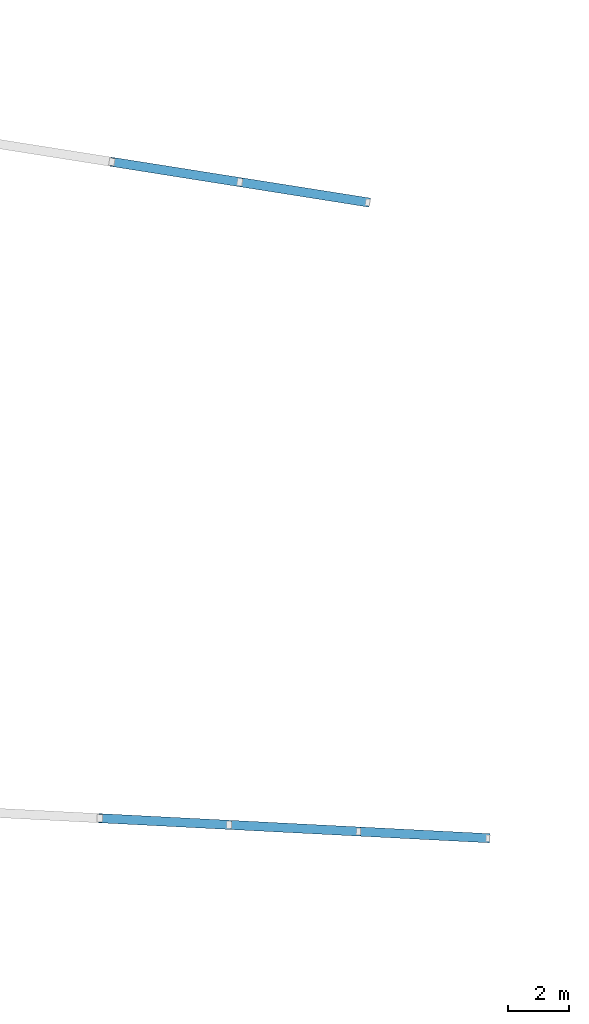
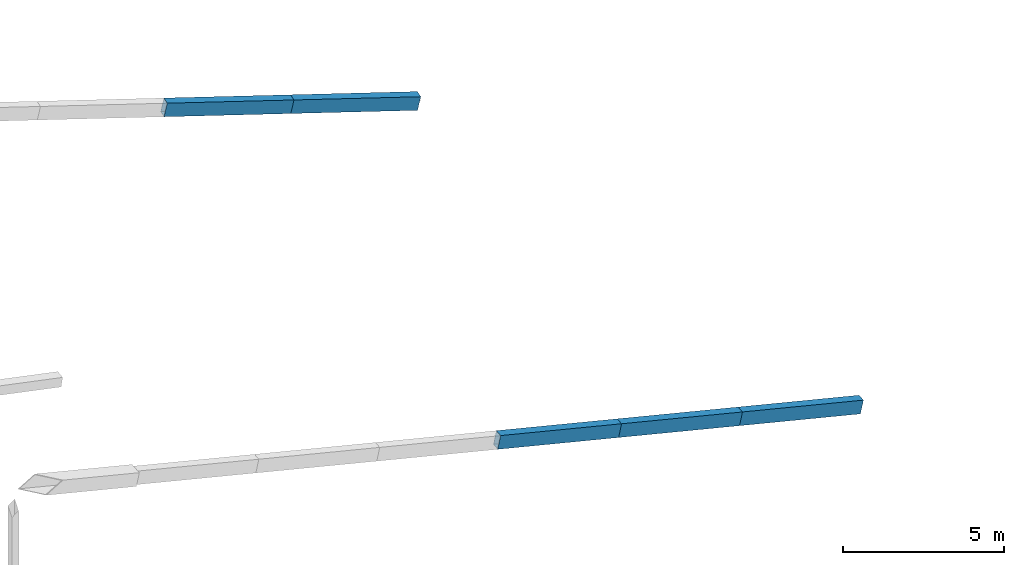
# One storey, part 65 of 188: 5 members.
"""IFC4 building model written with IfcOpenShell, lengths in metres."""

import ifcopenshell
import ifcopenshell.guid

model = None  # the IFC model being written
_history = None  # IfcOwnerHistory: only IFC2X3 demands one
_inside = {}  # id of a spatial element -> (the spatial element, [elements in it])
_under = {}  # id of a project, library or spatial element -> (it, [spatial elements below it])
_declared = {}  # id of a project -> (the project, [libraries it declares])
_typed = {}  # id of a type object -> (the type object, [elements of that type])
_made_of = {}  # id of a material, layer set ... -> (it, [elements and type objects made of it])


def new_model(schema):
    """Start an empty IFC model of exactly this schema.

    Asked for "IFC4X3", IfcOpenShell would pick the latest addendum, in which some entities
    have other attributes; the version numbers below select the first issue.
    IFC2X3 requires an IfcOwnerHistory on every rooted entity: one is made here for all.
    """
    global model, _history
    if schema == "IFC4X3":
        model = ifcopenshell.file(schema_version=(4, 3, 0, 0))
    else:
        model = ifcopenshell.file(schema=schema)
    _inside.clear()
    _under.clear()
    _declared.clear()
    _typed.clear()
    _made_of.clear()
    _history = None
    if model.schema == "IFC2X3":
        org = make("IfcOrganization", Name="unknown")
        user = make(
            "IfcPersonAndOrganization",
            ThePerson=make("IfcPerson", FamilyName="unknown"),
            TheOrganization=org,
        )
        app = make(
            "IfcApplication",
            ApplicationDeveloper=org,
            Version="unknown",
            ApplicationFullName="unknown",
            ApplicationIdentifier="unknown",
        )
        _history = make(
            "IfcOwnerHistory",
            OwningUser=user,
            OwningApplication=app,
            ChangeAction="ADDED",
            CreationDate=0,
        )
    return model


def make(cls, **values):
    """One entity of the class cls with the attributes given. An attribute that is None is left unset."""
    return model.create_entity(
        cls, **{name: value for name, value in values.items() if value is not None}
    )


def rooted(cls, **values):
    """An entity with a GlobalId (a new one), such as an element, a storey or a relation."""
    return make(cls, GlobalId=ifcopenshell.guid.new(), OwnerHistory=_history, **values)


def si_unit(unit_type, name, prefix=None):
    """IfcSIUnit, for example si_unit("LENGTHUNIT", "METRE", prefix="MILLI")."""
    return make("IfcSIUnit", UnitType=unit_type, Prefix=prefix, Name=name)


def assignment(units):
    """IfcUnitAssignment: the units of a project."""
    return None if units is None else make("IfcUnitAssignment", Units=units)


def point(xyz):
    """IfcCartesianPoint."""
    return None if xyz is None else make("IfcCartesianPoint", Coordinates=xyz)


def direction(xyz):
    """IfcDirection."""
    return None if xyz is None else make("IfcDirection", DirectionRatios=xyz)


def frame(location, z_axis=None, x_axis=None):
    """IfcAxis2Placement3D, a coordinate frame: its origin and axes. An axis left out is left unset."""
    return make(
        "IfcAxis2Placement3D",
        Location=point(location),
        Axis=direction(z_axis),
        RefDirection=direction(x_axis),
    )


def frame_2d(location, x_axis=None):
    """IfcAxis2Placement2D, a coordinate frame in the plane: its origin and x axis."""
    return make(
        "IfcAxis2Placement2D", Location=point(location), RefDirection=direction(x_axis)
    )


def origin():
    """The frame at (0, 0, 0) with its axes left unset."""
    return frame((0.0, 0.0, 0.0))


def origin_2d():
    """The frame at (0, 0) in the plane with its x axis left unset."""
    return frame_2d((0.0, 0.0))


def place(relative_to, where):
    """IfcLocalPlacement: puts the frame where relative to a parent placement (None: the world)."""
    return make(
        "IfcLocalPlacement", PlacementRelTo=relative_to, RelativePlacement=where
    )


def context(
    kind, dimensions, precision=None, world=None, true_north=None, identifier=None
):
    """IfcGeometricRepresentationContext, for example the 3D "Model" context."""
    return make(
        "IfcGeometricRepresentationContext",
        ContextIdentifier=identifier,
        ContextType=kind,
        CoordinateSpaceDimension=dimensions,
        Precision=precision,
        WorldCoordinateSystem=world,
        TrueNorth=true_north,
    )


def subcontext(parent, identifier, kind, view, scale=None):
    """IfcGeometricRepresentationSubContext, for example "Body" below "Model"."""
    return make(
        "IfcGeometricRepresentationSubContext",
        ContextIdentifier=identifier,
        ContextType=kind,
        ParentContext=parent,
        TargetScale=scale,
        TargetView=view,
    )


def project(units=None, contexts=None):
    """IfcProject with its units and contexts."""
    return rooted(
        "IfcProject",
        Name="project",
        RepresentationContexts=contexts,
        UnitsInContext=assignment(units),
    )


def spatial(cls, under=None, at=None, **own):
    """A site, building, storey or space (cls), placed at a placement, below another one or the project."""
    s = rooted(cls, ObjectPlacement=at, **own)
    if under is not None:
        _under.setdefault(under.id(), (under, []))[1].append(s)
    return s


def profile(cls, at=None, kind="AREA", **sizes):
    """A parametric profile (cls). Its sizes go by their IFC names, for example OverallWidth=200.0."""
    return make(cls, ProfileType=kind, Position=at, **sizes)


def hollow_rectangle(**sizes):
    """IfcRectangleHollowProfileDef."""
    return profile("IfcRectangleHollowProfileDef", **sizes)


def extrude(swept, where, along, depth):
    """IfcExtrudedAreaSolid: the profile swept, set in the frame where, extruded along a direction by depth."""
    return make(
        "IfcExtrudedAreaSolid",
        SweptArea=swept,
        Position=where,
        ExtrudedDirection=direction(along),
        Depth=depth,
    )


def shape(context_of_items, identifier, shape_type, items):
    """IfcShapeRepresentation: the items that make up one representation, for example the "Body"."""
    return make(
        "IfcShapeRepresentation",
        ContextOfItems=context_of_items,
        RepresentationIdentifier=identifier,
        RepresentationType=shape_type,
        Items=items,
    )


def material(Name=None, Category=None):
    """IfcMaterial."""
    return make("IfcMaterial", Name=Name, Category=Category)


def material_profile(
    of_material, cross_section, Name=None, Category=None, Priority=None
):
    """IfcMaterialProfile: a cross section and its material."""
    return make(
        "IfcMaterialProfile",
        Name=Name,
        Material=of_material,
        Profile=cross_section,
        Priority=Priority,
        Category=Category,
    )


def profile_set(profiles, Name=None, composite=None):
    """IfcMaterialProfileSet."""
    return make(
        "IfcMaterialProfileSet",
        Name=Name,
        MaterialProfiles=profiles,
        CompositeProfile=composite,
    )


def made_of(thing, what):
    """Note that an element or type object is made of a material, layer set ...; save() writes the relation."""
    if what is not None:
        _made_of.setdefault(what.id(), (what, []))[1].append(thing)
    return thing


def type_object(cls, material=None, **own):
    """A type object (cls), such as IfcWallType, which elements share."""
    return made_of(rooted(cls, **own), material)


def element(
    cls,
    number,
    at=None,
    inside=None,
    cuts=None,
    type_object=None,
    material=None,
    context=None,
    identifier="Body",
    shape_type=None,
    held_by="IfcProductDefinitionShape",
    body=None,
    shapes=None,
    **own,
):
    """One element of the class cls, such as IfcWall. Its Tag is "e" and its number.

    at: its placement. inside: the storey or other place that contains it. cuts: it is an
    opening in that element (IfcRelVoidsElement). A single representation is given by context,
    identifier, shape_type and body (its items); several are given by shapes. held_by: the class
    of the entity that holds the representations. save() writes the other relations.
    """
    e = rooted(cls, Tag="e%d" % number, ObjectPlacement=at, **own)
    if body is not None:
        shapes = [shape(context, identifier, shape_type, body)]
    if shapes is not None:
        e.Representation = make(held_by, Representations=shapes)
    if inside is not None:
        _inside.setdefault(inside.id(), (inside, []))[1].append(e)
    if cuts is not None:
        rooted(
            "IfcRelVoidsElement", RelatingBuildingElement=cuts, RelatedOpeningElement=e
        )
    if type_object is not None:
        _typed.setdefault(type_object.id(), (type_object, []))[1].append(e)
    return made_of(e, material)


def aggregate(whole, parts):
    """IfcRelAggregates: a whole, such as a stair, and the parts it consists of."""
    return rooted("IfcRelAggregates", RelatingObject=whole, RelatedObjects=parts)


def save(model, path):
    """Write the relations noted so far, then the file.

    IfcRelAggregates (storeys below a building ...), IfcRelContainedInSpatialStructure (elements
    in a storey), IfcRelDefinesByType, IfcRelAssociatesMaterial and IfcRelDeclares: one each for
    every whole, place, type object, material and project.
    """
    for whole, parts in _under.values():
        aggregate(whole, parts)
    for where, things in _inside.values():
        rooted(
            "IfcRelContainedInSpatialStructure",
            RelatedElements=things,
            RelatingStructure=where,
        )
    for kind, things in _typed.values():
        rooted("IfcRelDefinesByType", RelatedObjects=things, RelatingType=kind)
    for what, things in _made_of.values():
        rooted("IfcRelAssociatesMaterial", RelatedObjects=things, RelatingMaterial=what)
    for by, libraries in _declared.values():
        rooted("IfcRelDeclares", RelatingContext=by, RelatedDefinitions=libraries)
    model.write(path)


model = new_model("IFC4")

# Units and contexts
model_context = context("Model", 3, precision=1e-05, world=origin(), true_north=direction((0.0, 1.0)))
body_context = subcontext(model_context, "Body", "Model", "MODEL_VIEW")
ifc_project = project(units=[si_unit("LENGTHUNIT", "METRE"), si_unit("AREAUNIT", "SQUARE_METRE"), si_unit("VOLUMEUNIT", "CUBIC_METRE"), si_unit("PLANEANGLEUNIT", "RADIAN"), si_unit("MASSUNIT", "GRAM", prefix="KILO")], contexts=[model_context])

# Site, building, storey
site_placement = place(None, origin())
site = spatial("IfcSite", under=ifc_project, at=site_placement, CompositionType="ELEMENT")
building_placement = place(site_placement, origin())
building = spatial("IfcBuilding", under=site, at=building_placement, Name="Meseta Stadium", CompositionType="ELEMENT")
storey_placement = place(building_placement, frame((0.0, 0.0, 30.0)))
storey = spatial("IfcBuildingStorey", under=building, at=storey_placement, Name="ROOF", CompositionType="ELEMENT", Elevation=30.0)

# Members
ifc_material = material(Name="Steel S355", Category="steel")
ifc_material_profile = material_profile(ifc_material, hollow_rectangle(XDim=0.300048828125, YDim=0.5, WallThickness=0.01611328125, at=origin_2d()), Name="RHS 500x300x16")
ifc_profile_set = profile_set([ifc_material_profile], Name="Steel S355")
member_type = type_object("IfcMemberType", Name="RHS 500x300x16 top chord", PredefinedType="CHORD", material=ifc_profile_set)
member_1_placement = place(storey_placement, frame((-59.340576171875, 49.61083984375, 1.05810546875), z_axis=(-0.964257554279, 0.152402704241, 0.216750512699), x_axis=(-0.15611399753, -0.987739044371, 0.0)))
element("IfcMember", 1, at=member_1_placement, inside=storey, type_object=member_type, Name="ROOF TRUSS RT-28 top chord", PredefinedType="CHORD", context=body_context, shape_type="SweptSolid", body=[
    extrude(hollow_rectangle(XDim=0.300048828125, YDim=0.5, WallThickness=0.01611328125, at=origin_2d()), origin(), (0.0, 0.0, 1.0), 4.3251953125),
])
member_2_placement = place(storey_placement, frame((-63.51123046875, 50.27001953125, 1.99560546875), z_axis=(-0.964261885476, 0.152355861661, 0.216764175168), x_axis=(-0.156066499211, -0.987746550398, 0.0)))
element("IfcMember", 2, at=member_2_placement, inside=storey, type_object=member_type, Name="ROOF TRUSS RT-28 top chord", PredefinedType="CHORD", context=body_context, shape_type="SweptSolid", body=[
    extrude(hollow_rectangle(XDim=0.300048828125, YDim=0.5, WallThickness=0.01611328125, at=origin_2d()), origin(), (0.0, 0.0, 1.0), 4.324951171875),
])
for number, where, z_axis, x_axis, name in (
    (3, (-55.42431640625, 28.886962890625, 0.728759765625), (-0.976913668371, 0.050228668723, 0.207645769011), (-0.051347841848, -0.998680829463, 0.0), "ROOF TRUSS RT-30 top chord"),
    (4, (-59.640869140625, 29.103759765625, 1.625), (-0.976916442354, 0.050172247372, 0.207646358629), (-0.051290169905, -0.998683793035, 0.0), "ROOF TRUSS RT-30 top chord"),
):
    element("IfcMember", number, at=place(storey_placement, frame(where, z_axis=z_axis, x_axis=x_axis)), inside=storey, type_object=member_type, Name=name, PredefinedType="CHORD", context=body_context, shape_type="SweptSolid", body=[
        extrude(hollow_rectangle(XDim=0.300048828125, YDim=0.5, WallThickness=0.01611328125, at=origin_2d()), origin(), (0.0, 0.0, 1.0), 4.316162109375),
    ])
member_3_placement = place(storey_placement, frame((-63.857421875, 29.3203125, 2.521240234375), z_axis=(-0.976916249712, 0.050225893339, 0.207634295547), x_axis=(-0.051344876791, -0.998680981909, 0.0)))
element("IfcMember", 5, at=member_3_placement, inside=storey, type_object=member_type, Name="ROOF TRUSS RT-30 top chord", PredefinedType="CHORD", context=body_context, shape_type="SweptSolid", body=[
    extrude(hollow_rectangle(XDim=0.300048828125, YDim=0.5, WallThickness=0.01611328125, at=origin_2d()), origin(), (0.0, 0.0, 1.0), 4.31640625),
])

save(model, "model.ifc")
